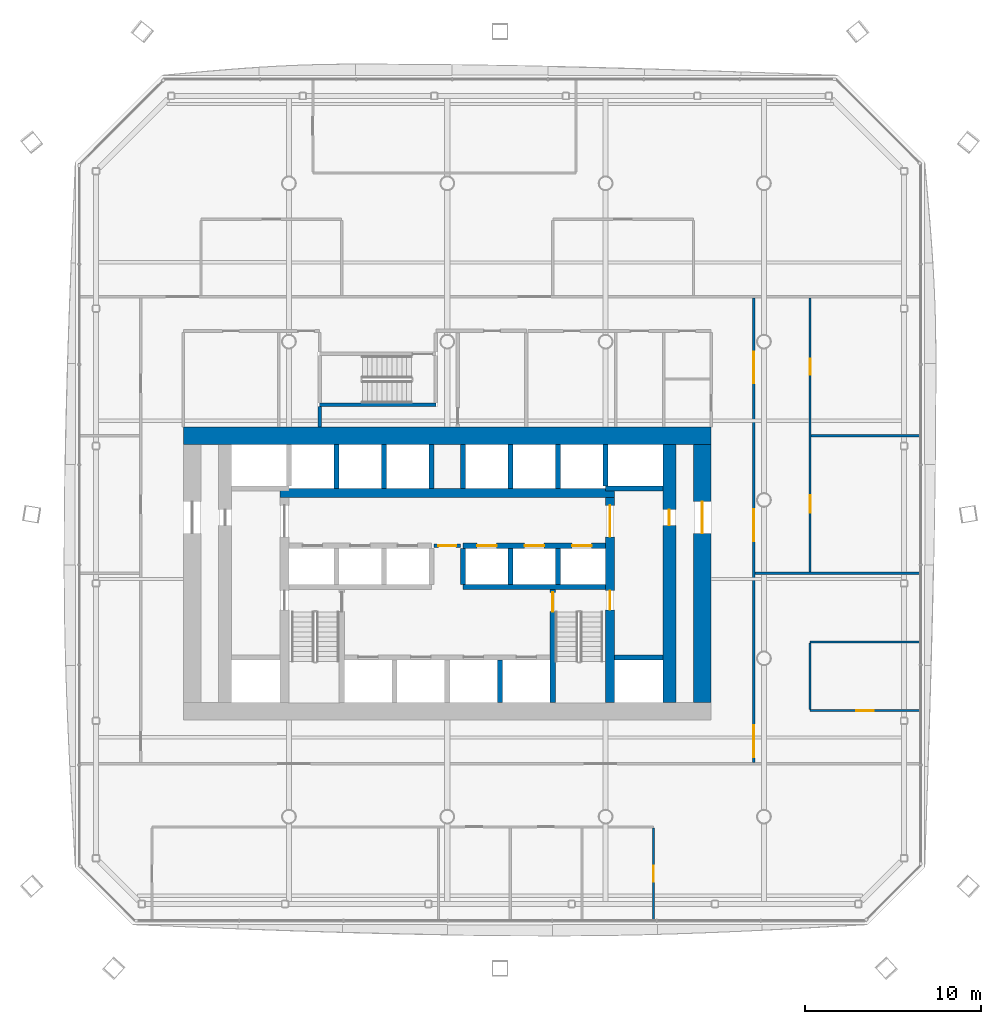
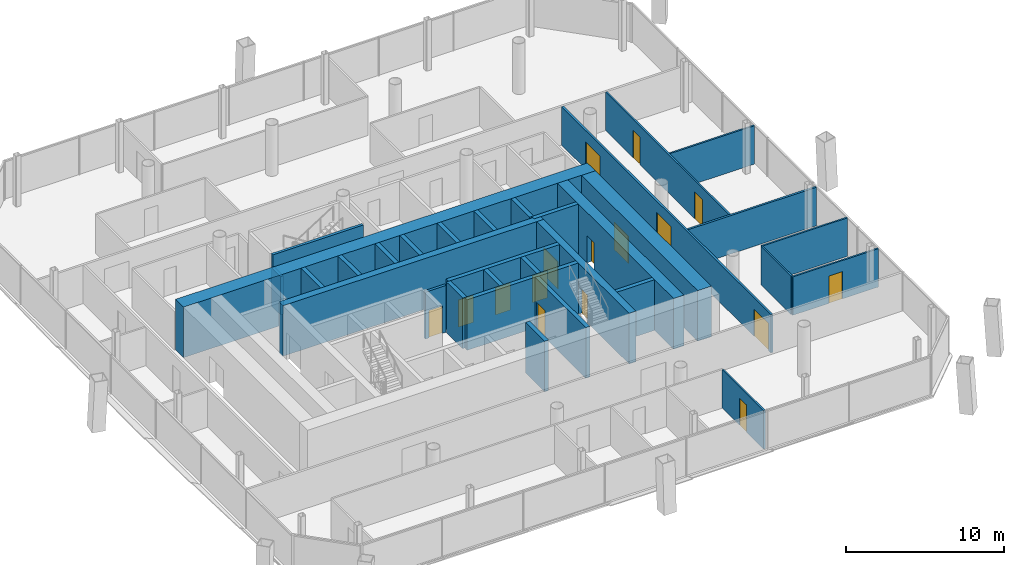
# One storey, part 12 of 19: 32 walls, 16 doors, 16 openings.
"""IFC4 building model written with IfcOpenShell, lengths in metres."""

from ifc_helpers import new_model, si_unit, direction, frame, frame_2d, origin, place, context, subcontext, project, spatial, rectangle, extrude, material, layer, layer_set, type_object, element, fill, save


model = new_model("IFC4")

# Units and contexts
model_context = context("Model", 3, precision=1e-05, world=origin(), true_north=direction((0.0, 1.0)))
body_context = subcontext(model_context, "Body", "Model", "MODEL_VIEW")
ifc_project = project(units=[si_unit("LENGTHUNIT", "METRE"), si_unit("AREAUNIT", "SQUARE_METRE"), si_unit("VOLUMEUNIT", "CUBIC_METRE"), si_unit("PLANEANGLEUNIT", "RADIAN"), si_unit("MASSUNIT", "GRAM", prefix="KILO")], contexts=[model_context])

# Site, building, storey
site_placement = place(None, origin())
site = spatial("IfcSite", under=ifc_project, at=site_placement, CompositionType="ELEMENT")
building_placement = place(site_placement, origin())
building = spatial("IfcBuilding", under=site, at=building_placement, Name="Tskaro Facet Tower", CompositionType="ELEMENT")
storey_placement = place(building_placement, frame((0.0, 0.0, 105.0)))
storey = spatial("IfcBuildingStorey", under=building, at=storey_placement, Name="L25", CompositionType="ELEMENT", Elevation=105.0)

# Walls
ifc_material_1 = material(Name="Concrete C60/75", Category="concrete")
ifc_layer_1 = layer(ifc_material_1, 0.300048828125, Name="Concrete C60/75")
ifc_layer_set_1 = layer_set([ifc_layer_1], Name="Concrete C60/75")
wall_type_1 = type_object("IfcWallType", Name="CORE-SHAFT", PredefinedType="SHEAR", material=ifc_layer_set_1)
wall_1_placement = place(storey_placement, frame((9.5, -8.949951171875, 0.0), z_axis=(0.0, 0.0, 1.0), x_axis=(1.0, 0.0, 0.0)))
element("IfcWall", 1, at=wall_1_placement, inside=storey, type_object=wall_type_1, Name="Shaft wall W006", PredefinedType="SHEAR", context=body_context, shape_type="SweptSolid", body=[
    extrude(rectangle(XDim=2.75, YDim=0.300048828125, at=frame_2d((1.375, 0.0))), origin(), (0.0, 0.0, 1.0), 3.89990234375),
])
wall_2_placement = place(storey_placement, frame((0.89990234375, -4.949951171875, 0.0), z_axis=(0.0, 0.0, 1.0), x_axis=(1.0, 0.0, 0.0)))
element("IfcWall", 2, at=wall_2_placement, inside=storey, type_object=wall_type_1, Name="Shaft wall W009", PredefinedType="SHEAR", context=body_context, shape_type="SweptSolid", body=[
    extrude(rectangle(XDim=8.10009765625, YDim=0.300048828125, at=frame_2d((4.050048828125, 0.0))), origin(), (0.0, 0.0, 1.0), 3.89990234375),
])

# Wall, openings, doors
wall_3_placement = place(storey_placement, frame((0.89990234375, -2.60009765625, 0.0), z_axis=(0.0, 0.0, 1.0), x_axis=(1.0, 0.0, 0.0)))
wall_3 = element("IfcWall", 3, at=wall_3_placement, inside=storey, type_object=wall_type_1, Name="Shaft wall W014", PredefinedType="SHEAR", context=body_context, shape_type="SweptSolid", body=[
    extrude(rectangle(XDim=8.10009765625, YDim=0.300048828125, at=frame_2d((4.050048828125, 0.0))), origin(), (0.0, 0.0, 1.0), 3.89990234375),
])
opening_1_placement = place(wall_3_placement, frame((0.800048828125, 0.0, 0.0)))
opening_1 = element("IfcOpeningElement", 4, at=opening_1_placement, cuts=wall_3, Name="Opening LD-LR4", PredefinedType="OPENING", context=body_context, shape_type="SweptSolid", body=[
    extrude(rectangle(XDim=1.10009765625, YDim=2.10009765625, at=frame_2d((0.550048828125, 1.050048828125))), frame((0.0, 0.159912109375, 0.0), z_axis=(0.0, -1.0, 0.0), x_axis=(1.0, 0.0, 0.0)), (0.0, 0.0, 1.0), 0.320068359375),
])
opening_2_placement = place(wall_3_placement, frame((3.5, 0.0, 0.0)))
opening_2 = element("IfcOpeningElement", 5, at=opening_2_placement, cuts=wall_3, Name="Opening LD-LR5", PredefinedType="OPENING", context=body_context, shape_type="SweptSolid", body=[
    extrude(rectangle(XDim=1.10009765625, YDim=2.10009765625, at=frame_2d((0.550048828125, 1.050048828125))), frame((0.0, 0.159912109375, 0.0), z_axis=(0.0, -1.0, 0.0), x_axis=(1.0, 0.0, 0.0)), (0.0, 0.0, 1.0), 0.320068359375),
])
opening_3_placement = place(wall_3_placement, frame((6.199951171875, 0.0, 0.0)))
opening_3 = element("IfcOpeningElement", 6, at=opening_3_placement, cuts=wall_3, Name="Opening LD-LR6", PredefinedType="OPENING", context=body_context, shape_type="SweptSolid", body=[
    extrude(rectangle(XDim=1.10009765625, YDim=2.10009765625, at=frame_2d((0.550048828125, 1.050048828125))), frame((0.0, 0.159912109375, 0.0), z_axis=(0.0, -1.0, 0.0), x_axis=(1.0, 0.0, 0.0)), (0.0, 0.0, 1.0), 0.320068359375),
])
ifc_material_2 = material(Name="Stainless steel", Category="steel")
door_type_1 = type_object("IfcDoorType", Name="D-LANDING", OperationType="NOTDEFINED", PredefinedType="DOOR", material=ifc_material_2)
door_1_placement = place(opening_1_placement, origin())
door_1 = element("IfcDoor", 7, at=door_1_placement, inside=storey, type_object=door_type_1, Name="Landing door LR4", OperationType="DOUBLE_DOOR_SLIDING", OverallHeight=2.10009765625, OverallWidth=1.10009765625, PredefinedType="DOOR", context=body_context, shape_type="SweptSolid", body=[
    extrude(rectangle(XDim=1.10009765625, YDim=2.10009765625, at=frame_2d((0.550048828125, 1.050048828125))), frame((0.0, 0.02490234375, 0.0), z_axis=(0.0, -1.0, 0.0), x_axis=(1.0, 0.0, 0.0)), (0.0, 0.0, 1.0), 0.050048828125),
])
fill(opening_1, door_1)
door_2_placement = place(opening_2_placement, origin())
door_2 = element("IfcDoor", 8, at=door_2_placement, inside=storey, type_object=door_type_1, Name="Landing door LR5", OperationType="DOUBLE_DOOR_SLIDING", OverallHeight=2.10009765625, OverallWidth=1.10009765625, PredefinedType="DOOR", context=body_context, shape_type="SweptSolid", body=[
    extrude(rectangle(XDim=1.10009765625, YDim=2.10009765625, at=frame_2d((0.550048828125, 1.050048828125))), frame((0.0, 0.02490234375, 0.0), z_axis=(0.0, -1.0, 0.0), x_axis=(1.0, 0.0, 0.0)), (0.0, 0.0, 1.0), 0.050048828125),
])
fill(opening_2, door_2)
door_3_placement = place(opening_3_placement, origin())
door_3 = element("IfcDoor", 9, at=door_3_placement, inside=storey, type_object=door_type_1, Name="Landing door LR6", OperationType="DOUBLE_DOOR_SLIDING", OverallHeight=2.10009765625, OverallWidth=1.10009765625, PredefinedType="DOOR", context=body_context, shape_type="SweptSolid", body=[
    extrude(rectangle(XDim=1.10009765625, YDim=2.10009765625, at=frame_2d((0.550048828125, 1.050048828125))), frame((0.0, 0.02490234375, 0.0), z_axis=(0.0, -1.0, 0.0), x_axis=(1.0, 0.0, 0.0)), (0.0, 0.0, 1.0), 0.050048828125),
])
fill(opening_3, door_3)

# Walls
wall_4_placement = place(storey_placement, frame((12.25, 0.64990234375, 0.0), z_axis=(0.0, 0.0, 1.0), x_axis=(-1.0, 0.0, 0.0)))
element("IfcWall", 10, at=wall_4_placement, inside=storey, type_object=wall_type_1, Name="Shaft wall W016", PredefinedType="SHEAR", context=body_context, shape_type="SweptSolid", body=[
    extrude(rectangle(XDim=3.25, YDim=0.300048828125, at=frame_2d((1.625, 0.0))), origin(), (0.0, 0.0, 1.0), 3.89990234375),
])
for number, where, z_axis, x_axis, name in (
    (11, (-6.300048828125, 0.64990234375, 0.0), (0.0, 0.0, 1.0), (0.0, 1.0, 0.0), "Shaft wall W040"),
    (12, (-3.60009765625, 0.64990234375, 0.0), (0.0, 0.0, 1.0), (0.0, 1.0, 0.0), "Shaft wall W044"),
    (13, (-0.89990234375, 0.64990234375, 0.0), (0.0, 0.0, 1.0), (0.0, 1.0, 0.0), "Shaft wall W047"),
):
    element("IfcWall", number, at=place(storey_placement, frame(where, z_axis=z_axis, x_axis=x_axis)), inside=storey, type_object=wall_type_1, Name=name, PredefinedType="SHEAR", context=body_context, shape_type="SweptSolid", body=[
        extrude(rectangle(XDim=2.5, YDim=0.300048828125, at=frame_2d((1.25, 0.0))), origin(), (0.0, 0.0, 1.0), 3.89990234375),
    ])
wall_5_placement = place(storey_placement, frame((0.89990234375, -4.800048828125, 0.0), z_axis=(0.0, 0.0, 1.0), x_axis=(0.0, 1.0, 0.0)))
element("IfcWall", 14, at=wall_5_placement, inside=storey, type_object=wall_type_1, Name="Shaft wall W053", PredefinedType="SHEAR", context=body_context, shape_type="SweptSolid", body=[
    extrude(rectangle(XDim=2.050048828125, YDim=0.300048828125, at=frame_2d((1.02490234375, 0.0))), origin(), (0.0, 0.0, 1.0), 3.89990234375),
])
wall_6_placement = place(storey_placement, frame((0.89990234375, 0.64990234375, 0.0), z_axis=(0.0, 0.0, 1.0), x_axis=(0.0, 1.0, 0.0)))
element("IfcWall", 15, at=wall_6_placement, inside=storey, type_object=wall_type_1, Name="Shaft wall W054", PredefinedType="SHEAR", context=body_context, shape_type="SweptSolid", body=[
    extrude(rectangle(XDim=2.5, YDim=0.300048828125, at=frame_2d((1.25, 0.0))), origin(), (0.0, 0.0, 1.0), 3.89990234375),
])
wall_7_placement = place(storey_placement, frame((3.0, -11.5, 0.0), z_axis=(0.0, 0.0, 1.0), x_axis=(0.0, 1.0, 0.0)))
element("IfcWall", 16, at=wall_7_placement, inside=storey, type_object=wall_type_1, Name="Shaft wall W055", PredefinedType="SHEAR", context=body_context, shape_type="SweptSolid", body=[
    extrude(rectangle(XDim=2.39990234375, YDim=0.300048828125, at=frame_2d((1.199951171875, 0.0))), origin(), (0.0, 0.0, 1.0), 3.89990234375),
])
wall_8_placement = place(storey_placement, frame((3.60009765625, -4.800048828125, 0.0), z_axis=(0.0, 0.0, 1.0), x_axis=(0.0, 1.0, 0.0)))
element("IfcWall", 17, at=wall_8_placement, inside=storey, type_object=wall_type_1, Name="Shaft wall W057", PredefinedType="SHEAR", context=body_context, shape_type="SweptSolid", body=[
    extrude(rectangle(XDim=2.050048828125, YDim=0.300048828125, at=frame_2d((1.02490234375, 0.0))), origin(), (0.0, 0.0, 1.0), 3.89990234375),
])
wall_9_placement = place(storey_placement, frame((3.60009765625, 0.64990234375, 0.0), z_axis=(0.0, 0.0, 1.0), x_axis=(0.0, 1.0, 0.0)))
element("IfcWall", 18, at=wall_9_placement, inside=storey, type_object=wall_type_1, Name="Shaft wall W058", PredefinedType="SHEAR", context=body_context, shape_type="SweptSolid", body=[
    extrude(rectangle(XDim=2.5, YDim=0.300048828125, at=frame_2d((1.25, 0.0))), origin(), (0.0, 0.0, 1.0), 3.89990234375),
])

# Wall, opening, door
wall_10_placement = place(storey_placement, frame((6.0, -5.10009765625, 0.0), z_axis=(0.0, 0.0, 1.0), x_axis=(0.0, -1.0, 0.0)))
wall_10 = element("IfcWall", 19, at=wall_10_placement, inside=storey, type_object=wall_type_1, Name="Shaft wall W060", PredefinedType="SHEAR", context=body_context, shape_type="SweptSolid", body=[
    extrude(rectangle(XDim=6.39990234375, YDim=0.300048828125, at=frame_2d((3.199951171875, 0.0))), origin(), (0.0, 0.0, 1.0), 3.89990234375),
])
opening_4_placement = place(wall_10_placement, frame((0.14990234375, 0.0, 0.0)))
opening_4 = element("IfcOpeningElement", 20, at=opening_4_placement, cuts=wall_10, Name="Opening ST-2-D1", PredefinedType="OPENING", context=body_context, shape_type="SweptSolid", body=[
    extrude(rectangle(XDim=1.10009765625, YDim=2.10009765625, at=frame_2d((0.550048828125, 1.050048828125))), frame((0.0, 0.159912109375, 0.0), z_axis=(0.0, -1.0, 0.0), x_axis=(1.0, 0.0, 0.0)), (0.0, 0.0, 1.0), 0.320068359375),
])
ifc_material_3 = material(Name="Steel", Category="steel")
door_type_2 = type_object("IfcDoorType", Name="D-STAIR", OperationType="NOTDEFINED", PredefinedType="DOOR", material=ifc_material_3)
door_4_placement = place(opening_4_placement, origin())
door_4 = element("IfcDoor", 21, at=door_4_placement, inside=storey, type_object=door_type_2, Name="Stair door 2", OperationType="SINGLE_SWING_RIGHT", OverallHeight=2.10009765625, OverallWidth=1.10009765625, PredefinedType="DOOR", context=body_context, shape_type="SweptSolid", body=[
    extrude(rectangle(XDim=1.10009765625, YDim=2.10009765625, at=frame_2d((0.550048828125, 1.050048828125))), frame((0.0, 0.02490234375, 0.0), z_axis=(0.0, -1.0, 0.0), x_axis=(1.0, 0.0, 0.0)), (0.0, 0.0, 1.0), 0.050048828125),
])
fill(opening_4, door_4)

# Walls
wall_11_placement = place(storey_placement, frame((6.300048828125, -4.800048828125, 0.0), z_axis=(0.0, 0.0, 1.0), x_axis=(0.0, 1.0, 0.0)))
element("IfcWall", 22, at=wall_11_placement, inside=storey, type_object=wall_type_1, Name="Shaft wall W062", PredefinedType="SHEAR", context=body_context, shape_type="SweptSolid", body=[
    extrude(rectangle(XDim=2.050048828125, YDim=0.300048828125, at=frame_2d((1.02490234375, 0.0))), origin(), (0.0, 0.0, 1.0), 3.89990234375),
])
wall_12_placement = place(storey_placement, frame((6.300048828125, 0.64990234375, 0.0), z_axis=(0.0, 0.0, 1.0), x_axis=(0.0, 1.0, 0.0)))
element("IfcWall", 23, at=wall_12_placement, inside=storey, type_object=wall_type_1, Name="Shaft wall W063", PredefinedType="SHEAR", context=body_context, shape_type="SweptSolid", body=[
    extrude(rectangle(XDim=2.5, YDim=0.300048828125, at=frame_2d((1.25, 0.0))), origin(), (0.0, 0.0, 1.0), 3.89990234375),
])
wall_13_placement = place(storey_placement, frame((9.0, 0.800048828125, 0.0), z_axis=(0.0, 0.0, 1.0), x_axis=(0.0, 1.0, 0.0)))
element("IfcWall", 24, at=wall_13_placement, inside=storey, type_object=wall_type_1, Name="Shaft wall W066", PredefinedType="SHEAR", context=body_context, shape_type="SweptSolid", body=[
    extrude(rectangle(XDim=2.349853515625, YDim=0.300048828125, at=frame_2d((1.1748046875, 0.0))), origin(), (0.0, 0.0, 1.0), 3.89990234375),
])

# Wall, opening, door
ifc_material_4 = material(Name="Concrete C20/25", Category="concrete")
ifc_layer_2 = layer(ifc_material_4, 0.199951171875, Name="Concrete C20/25")
ifc_layer_set_2 = layer_set([ifc_layer_2], Name="Concrete C20/25")
wall_type_2 = type_object("IfcWallType", Name="CORE-WALL", PredefinedType="SOLIDWALL", material=ifc_layer_set_2)
wall_14_placement = place(storey_placement, frame((0.75, -2.60009765625, 0.0), z_axis=(0.0, 0.0, 1.0), x_axis=(-1.0, 0.0, 0.0)))
wall_14 = element("IfcWall", 25, at=wall_14_placement, inside=storey, type_object=wall_type_2, Name="Core room wall W013", PredefinedType="SOLIDWALL", context=body_context, shape_type="SweptSolid", body=[
    extrude(rectangle(XDim=1.5, YDim=0.199951171875, at=frame_2d((0.75, 0.0))), origin(), (0.0, 0.0, 1.0), 3.60009765625),
])
opening_5_placement = place(wall_14_placement, frame((0.25, 0.0, 0.0)))
opening_5 = element("IfcOpeningElement", 26, at=opening_5_placement, cuts=wall_14, Name="Opening FL-D1", PredefinedType="OPENING", context=body_context, shape_type="SweptSolid", body=[
    extrude(rectangle(XDim=1.0, YDim=2.10009765625, at=frame_2d((0.5, 1.050048828125))), frame((0.0, 0.10986328125, 0.0), z_axis=(0.0, -1.0, 0.0), x_axis=(1.0, 0.0, 0.0)), (0.0, 0.0, 1.0), 0.219970703125),
])
door_type_3 = type_object("IfcDoorType", Name="D-LOBBY", OperationType="NOTDEFINED", PredefinedType="DOOR", material=ifc_material_3)
door_5_placement = place(opening_5_placement, origin())
door_5 = element("IfcDoor", 27, at=door_5_placement, inside=storey, type_object=door_type_3, Name="Lobby door FL", OperationType="SINGLE_SWING_RIGHT", OverallHeight=2.10009765625, OverallWidth=1.0, PredefinedType="DOOR", context=body_context, shape_type="SweptSolid", body=[
    extrude(rectangle(XDim=1.0, YDim=2.10009765625, at=frame_2d((0.5, 1.050048828125))), frame((0.0, 0.02490234375, 0.0), z_axis=(0.0, -1.0, 0.0), x_axis=(1.0, 0.0, 0.0)), (0.0, 0.0, 1.0), 0.050048828125),
])
fill(opening_5, door_5)

# Wall
ifc_layer_3 = layer(ifc_material_1, 1.0, Name="Concrete C60/75")
ifc_layer_set_3 = layer_set([ifc_layer_3], Name="Concrete C60/75")
wall_type_3 = type_object("IfcWallType", Name="Core wall 1000", PredefinedType="SHEAR", material=ifc_layer_set_3)
wall_15_placement = place(storey_placement, frame((-15.0, 3.64990234375, 0.0), z_axis=(0.0, 0.0, 1.0), x_axis=(1.0, 0.0, 0.0)))
element("IfcWall", 28, at=wall_15_placement, inside=storey, type_object=wall_type_3, Name="Core wall CW-Z1N", PredefinedType="SHEAR", context=body_context, shape_type="SweptSolid", body=[
    extrude(rectangle(XDim=30.0, YDim=1.0, at=frame_2d((15.0, 0.0))), origin(), (0.0, 0.0, 1.0), 3.89990234375),
])

# Wall, opening, door
wall_16_placement = place(storey_placement, frame((14.5, -11.5, 0.0), z_axis=(0.0, 0.0, 1.0), x_axis=(0.0, 1.0, 0.0)))
wall_16 = element("IfcWall", 29, at=wall_16_placement, inside=storey, type_object=wall_type_3, Name="Core wall CW-Z1E", PredefinedType="SHEAR", context=body_context, shape_type="SweptSolid", body=[
    extrude(rectangle(XDim=14.64990234375, YDim=1.0, at=frame_2d((7.324951171875, 0.0))), origin(), (0.0, 0.0, 1.0), 3.89990234375),
])
opening_6_placement = place(wall_16_placement, frame((9.60009765625, 0.0, 0.0)))
opening_6 = element("IfcOpeningElement", 30, at=opening_6_placement, cuts=wall_16, Name="Opening T7p-D18", PredefinedType="OPENING", context=body_context, shape_type="SweptSolid", body=[
    extrude(rectangle(XDim=1.800048828125, YDim=2.10009765625, at=frame_2d((0.89990234375, 1.050048828125))), frame((0.0, 0.510009765625, 0.0), z_axis=(0.0, -1.0, 0.0), x_axis=(1.0, 0.0, 0.0)), (0.0, 0.0, 1.0), 1.02001953125),
])
door_type_4 = type_object("IfcDoorType", Name="D-CORE-PAIR", OperationType="NOTDEFINED", PredefinedType="DOOR", material=ifc_material_3)
door_6_placement = place(opening_6_placement, origin())
door_6 = element("IfcDoor", 31, at=door_6_placement, inside=storey, type_object=door_type_4, Name="Door T7p-D18", OperationType="DOUBLE_DOOR_SINGLE_SWING", OverallHeight=2.10009765625, OverallWidth=1.800048828125, PredefinedType="DOOR", context=body_context, shape_type="SweptSolid", body=[
    extrude(rectangle(XDim=1.800048828125, YDim=2.10009765625, at=frame_2d((0.89990234375, 1.050048828125))), frame((0.0, 0.02490234375, 0.0), z_axis=(0.0, -1.0, 0.0), x_axis=(1.0, 0.0, 0.0)), (0.0, 0.0, 1.0), 0.050048828125),
])
fill(opening_6, door_6)

# Wall
ifc_material_5 = material(Name="Concrete C40/50", Category="concrete")
ifc_layer_4 = layer(ifc_material_5, 0.5, Name="Concrete C40/50")
ifc_layer_set_4 = layer_set([ifc_layer_4], Name="Concrete C40/50")
wall_type_4 = type_object("IfcWallType", Name="Core wall 500", PredefinedType="SHEAR", material=ifc_layer_set_4)
wall_17_placement = place(storey_placement, frame((-9.5, 0.39990234375, 0.0), z_axis=(0.0, 0.0, 1.0), x_axis=(1.0, 0.0, 0.0)))
element("IfcWall", 32, at=wall_17_placement, inside=storey, type_object=wall_type_4, Name="Core wall CW-Z3N", PredefinedType="SHEAR", context=body_context, shape_type="SweptSolid", body=[
    extrude(rectangle(XDim=19.0, YDim=0.5, at=frame_2d((9.5, 0.0))), origin(), (0.0, 0.0, 1.0), 3.89990234375),
])

# Wall, openings, doors
wall_18_placement = place(storey_placement, frame((9.25, -11.5, 0.0), z_axis=(0.0, 0.0, 1.0), x_axis=(0.0, 1.0, 0.0)))
wall_18 = element("IfcWall", 33, at=wall_18_placement, inside=storey, type_object=wall_type_4, Name="Core wall CW-Z3E", PredefinedType="SHEAR", context=body_context, shape_type="SweptSolid", body=[
    extrude(rectangle(XDim=11.64990234375, YDim=0.5, at=frame_2d((5.824951171875, 0.0))), origin(), (0.0, 0.0, 1.0), 3.89990234375),
])
opening_7_placement = place(wall_18_placement, frame((9.39990234375, 0.0, 0.0)))
opening_7 = element("IfcOpeningElement", 34, at=opening_7_placement, cuts=wall_18, Name="Opening T7p-D14", PredefinedType="OPENING", context=body_context, shape_type="SweptSolid", body=[
    extrude(rectangle(XDim=1.800048828125, YDim=2.10009765625, at=frame_2d((0.89990234375, 1.050048828125))), frame((0.0, 0.260009765625, 0.0), z_axis=(0.0, -1.0, 0.0), x_axis=(1.0, 0.0, 0.0)), (0.0, 0.0, 1.0), 0.52001953125),
])
opening_8_placement = place(wall_18_placement, frame((5.25, 0.0, 0.0)))
opening_8 = element("IfcOpeningElement", 35, at=opening_8_placement, cuts=wall_18, Name="Opening ST-2-D2", PredefinedType="OPENING", context=body_context, shape_type="SweptSolid", body=[
    extrude(rectangle(XDim=1.10009765625, YDim=2.10009765625, at=frame_2d((0.550048828125, 1.050048828125))), frame((0.0, 0.260009765625, 0.0), z_axis=(0.0, -1.0, 0.0), x_axis=(1.0, 0.0, 0.0)), (0.0, 0.0, 1.0), 0.52001953125),
])
door_7_placement = place(opening_7_placement, origin())
door_7 = element("IfcDoor", 36, at=door_7_placement, inside=storey, type_object=door_type_4, Name="Door T7p-D14", OperationType="DOUBLE_DOOR_SINGLE_SWING", OverallHeight=2.10009765625, OverallWidth=1.800048828125, PredefinedType="DOOR", context=body_context, shape_type="SweptSolid", body=[
    extrude(rectangle(XDim=1.800048828125, YDim=2.10009765625, at=frame_2d((0.89990234375, 1.050048828125))), frame((0.0, 0.02490234375, 0.0), z_axis=(0.0, -1.0, 0.0), x_axis=(1.0, 0.0, 0.0)), (0.0, 0.0, 1.0), 0.050048828125),
])
fill(opening_7, door_7)
door_8_placement = place(opening_8_placement, origin())
door_8 = element("IfcDoor", 37, at=door_8_placement, inside=storey, type_object=door_type_2, Name="Stair door 2 east", OperationType="SINGLE_SWING_LEFT", OverallHeight=2.10009765625, OverallWidth=1.10009765625, PredefinedType="DOOR", context=body_context, shape_type="SweptSolid", body=[
    extrude(rectangle(XDim=1.10009765625, YDim=2.10009765625, at=frame_2d((0.550048828125, 1.050048828125))), frame((0.0, 0.02490234375, 0.0), z_axis=(0.0, -1.0, 0.0), x_axis=(1.0, 0.0, 0.0)), (0.0, 0.0, 1.0), 0.050048828125),
])
fill(opening_8, door_8)

# Wall, opening, door
ifc_material_6 = material(Name="Concrete C50/60", Category="concrete")
ifc_layer_5 = layer(ifc_material_6, 0.75, Name="Concrete C50/60")
ifc_layer_set_5 = layer_set([ifc_layer_5], Name="Concrete C50/60")
wall_type_5 = type_object("IfcWallType", Name="Core wall 750", PredefinedType="SHEAR", material=ifc_layer_set_5)
wall_19_placement = place(storey_placement, frame((12.625, -11.5, 0.0), z_axis=(0.0, 0.0, 1.0), x_axis=(0.0, 1.0, 0.0)))
wall_19 = element("IfcWall", 38, at=wall_19_placement, inside=storey, type_object=wall_type_5, Name="Core wall CW-Z2E", PredefinedType="SHEAR", context=body_context, shape_type="SweptSolid", body=[
    extrude(rectangle(XDim=14.64990234375, YDim=0.75, at=frame_2d((7.324951171875, 0.0))), origin(), (0.0, 0.0, 1.0), 3.89990234375),
])
opening_9_placement = place(wall_19_placement, frame((10.050048828125, 0.0, 0.0)))
opening_9 = element("IfcOpeningElement", 39, at=opening_9_placement, cuts=wall_19, Name="Opening T7p-D17", PredefinedType="OPENING", context=body_context, shape_type="SweptSolid", body=[
    extrude(rectangle(XDim=0.89990234375, YDim=2.10009765625, at=frame_2d((0.449951171875, 1.050048828125))), frame((0.0, 0.385009765625, 0.0), z_axis=(0.0, -1.0, 0.0), x_axis=(1.0, 0.0, 0.0)), (0.0, 0.0, 1.0), 0.77001953125),
])
ifc_material_7 = material(Name="Timber", Category="wood")
door_type_5 = type_object("IfcDoorType", Name="D-ROOM", OperationType="NOTDEFINED", PredefinedType="DOOR", material=ifc_material_7)
door_9_placement = place(opening_9_placement, origin())
door_9 = element("IfcDoor", 40, at=door_9_placement, inside=storey, type_object=door_type_5, Name="Door T7p-D17", OperationType="SINGLE_SWING_LEFT", OverallHeight=2.10009765625, OverallWidth=0.89990234375, PredefinedType="DOOR", context=body_context, shape_type="SweptSolid", body=[
    extrude(rectangle(XDim=0.89990234375, YDim=2.10009765625, at=frame_2d((0.449951171875, 1.050048828125))), frame((0.0, 0.02490234375, 0.0), z_axis=(0.0, -1.0, 0.0), x_axis=(1.0, 0.0, 0.0)), (0.0, 0.0, 1.0), 0.050048828125),
])
fill(opening_9, door_9)

ifc_material_8 = material(Name="Gypsum board on steel studs", Category="steel")
ifc_layer_6 = layer(ifc_material_8, 0.125, Name="Gypsum board on steel studs")
ifc_layer_set_6 = layer_set([ifc_layer_6], Name="Gypsum board on steel studs")
wall_type_6 = type_object("IfcWallType", Name="PART", PredefinedType="PARTITIONING", material=ifc_layer_set_6)
wall_20_placement = place(storey_placement, frame((20.625, -11.972900390625, 0.0), z_axis=(0.0, 0.0, 1.0), x_axis=(1.0, 0.0, 0.0)))
wall_20 = element("IfcWall", 41, at=wall_20_placement, inside=storey, type_object=wall_type_6, Name="Partition W003", PredefinedType="PARTITIONING", context=body_context, shape_type="SweptSolid", body=[
    extrude(rectangle(XDim=6.239990234375, YDim=0.125, at=frame_2d((3.1201171875, 0.0))), origin(), (0.0, 0.0, 1.0), 2.9599609375),
])
opening_10_placement = place(wall_20_placement, frame((2.6201171875, 0.0, 0.0)))
opening_10 = element("IfcOpeningElement", 42, at=opening_10_placement, cuts=wall_20, Name="Opening T7p-D09", PredefinedType="OPENING", context=body_context, shape_type="SweptSolid", body=[
    extrude(rectangle(XDim=1.0, YDim=2.10009765625, at=frame_2d((0.5, 1.050048828125))), frame((0.0, 0.072509765625, 0.0), z_axis=(0.0, -1.0, 0.0), x_axis=(1.0, 0.0, 0.0)), (0.0, 0.0, 1.0), 0.14501953125),
])
door_type_6 = type_object("IfcDoorType", Name="D-ROOM-WIDE", OperationType="NOTDEFINED", PredefinedType="DOOR", material=ifc_material_7)
door_10_placement = place(opening_10_placement, origin())
door_10 = element("IfcDoor", 43, at=door_10_placement, inside=storey, type_object=door_type_6, Name="Door T7p-D09", OperationType="SINGLE_SWING_LEFT", OverallHeight=2.10009765625, OverallWidth=1.0, PredefinedType="DOOR", context=body_context, shape_type="SweptSolid", body=[
    extrude(rectangle(XDim=1.0, YDim=2.10009765625, at=frame_2d((0.5, 1.050048828125))), frame((0.0, 0.02490234375, 0.0), z_axis=(0.0, -1.0, 0.0), x_axis=(1.0, 0.0, 0.0)), (0.0, 0.0, 1.0), 0.050048828125),
])
fill(opening_10, door_10)

# Walls
wall_21_placement = place(storey_placement, frame((20.625, -8.068115234375, 0.0), z_axis=(0.0, 0.0, 1.0), x_axis=(1.0, 0.0, 0.0)))
element("IfcWall", 44, at=wall_21_placement, inside=storey, type_object=wall_type_6, Name="Partition W007", PredefinedType="PARTITIONING", context=body_context, shape_type="SweptSolid", body=[
    extrude(rectangle(XDim=6.239990234375, YDim=0.125, at=frame_2d((3.1201171875, 0.0))), origin(), (0.0, 0.0, 1.0), 2.9599609375),
])
wall_22_placement = place(storey_placement, frame((20.6875, 3.64794921875, 0.0), z_axis=(0.0, 0.0, 1.0), x_axis=(1.0, 0.0, 0.0)))
element("IfcWall", 45, at=wall_22_placement, inside=storey, type_object=wall_type_6, Name="Partition W018", PredefinedType="PARTITIONING", context=body_context, shape_type="SweptSolid", body=[
    extrude(rectangle(XDim=6.177490234375, YDim=0.125, at=frame_2d((3.0888671875, 0.0))), origin(), (0.0, 0.0, 1.0), 2.9599609375),
])

# Wall, opening, door
wall_23_placement = place(storey_placement, frame((11.72607421875, -23.864990234375, 0.0), z_axis=(0.0, 0.0, 1.0), x_axis=(0.0, 1.0, 0.0)))
wall_23 = element("IfcWall", 46, at=wall_23_placement, inside=storey, type_object=wall_type_6, Name="Partition W068", PredefinedType="PARTITIONING", context=body_context, shape_type="SweptSolid", body=[
    extrude(rectangle(XDim=5.222412109375, YDim=0.125, at=frame_2d((2.611328125, 0.0))), origin(), (0.0, 0.0, 1.0), 2.9599609375),
])
opening_11_placement = place(wall_23_placement, frame((2.1611328125, 0.0, 0.0)))
opening_11 = element("IfcOpeningElement", 47, at=opening_11_placement, cuts=wall_23, Name="Opening T7p-D02", PredefinedType="OPENING", context=body_context, shape_type="SweptSolid", body=[
    extrude(rectangle(XDim=0.89990234375, YDim=2.10009765625, at=frame_2d((0.449951171875, 1.050048828125))), frame((0.0, 0.072509765625, 0.0), z_axis=(0.0, -1.0, 0.0), x_axis=(1.0, 0.0, 0.0)), (0.0, 0.0, 1.0), 0.14501953125),
])
door_11_placement = place(opening_11_placement, origin())
door_11 = element("IfcDoor", 48, at=door_11_placement, inside=storey, type_object=door_type_5, Name="Door T7p-D02", OperationType="SINGLE_SWING_LEFT", OverallHeight=2.10009765625, OverallWidth=0.89990234375, PredefinedType="DOOR", context=body_context, shape_type="SweptSolid", body=[
    extrude(rectangle(XDim=0.89990234375, YDim=2.10009765625, at=frame_2d((0.449951171875, 1.050048828125))), frame((0.0, 0.02490234375, 0.0), z_axis=(0.0, -1.0, 0.0), x_axis=(1.0, 0.0, 0.0)), (0.0, 0.0, 1.0), 0.050048828125),
])
fill(opening_11, door_11)

# Wall
wall_24_placement = place(storey_placement, frame((20.625, -11.910400390625, 0.0), z_axis=(0.0, 0.0, 1.0), x_axis=(0.0, 1.0, 0.0)))
element("IfcWall", 49, at=wall_24_placement, inside=storey, type_object=wall_type_6, Name="Partition W073", PredefinedType="PARTITIONING", context=body_context, shape_type="SweptSolid", body=[
    extrude(rectangle(XDim=3.77978515625, YDim=0.125, at=frame_2d((1.889892578125, 0.0))), origin(), (0.0, 0.0, 1.0), 2.9599609375),
])

# Wall, openings, doors
wall_25_placement = place(storey_placement, frame((20.625, 11.47998046875, 0.0), z_axis=(0.0, 0.0, 1.0), x_axis=(0.0, -1.0, 0.0)))
wall_25 = element("IfcWall", 50, at=wall_25_placement, inside=storey, type_object=wall_type_6, Name="Partition W074", PredefinedType="PARTITIONING", context=body_context, shape_type="SweptSolid", body=[
    extrude(rectangle(XDim=15.56689453125, YDim=0.125, at=frame_2d((7.783447265625, 0.0))), origin(), (0.0, 0.0, 1.0), 2.9599609375),
])
opening_12_placement = place(wall_25_placement, frame((11.199462890625, 0.0, 0.0)))
opening_12 = element("IfcOpeningElement", 51, at=opening_12_placement, cuts=wall_25, Name="Opening T7p-D20", PredefinedType="OPENING", context=body_context, shape_type="SweptSolid", body=[
    extrude(rectangle(XDim=1.0, YDim=2.10009765625, at=frame_2d((0.5, 1.050048828125))), frame((0.0, 0.072509765625, 0.0), z_axis=(0.0, -1.0, 0.0), x_axis=(1.0, 0.0, 0.0)), (0.0, 0.0, 1.0), 0.14501953125),
])
opening_13_placement = place(wall_25_placement, frame((3.466064453125, 0.0, 0.0)))
opening_13 = element("IfcOpeningElement", 52, at=opening_13_placement, cuts=wall_25, Name="Opening T7p-D27", PredefinedType="OPENING", context=body_context, shape_type="SweptSolid", body=[
    extrude(rectangle(XDim=0.89990234375, YDim=2.10009765625, at=frame_2d((0.449951171875, 1.050048828125))), frame((0.0, 0.072509765625, 0.0), z_axis=(0.0, -1.0, 0.0), x_axis=(1.0, 0.0, 0.0)), (0.0, 0.0, 1.0), 0.14501953125),
])
door_12_placement = place(opening_13_placement, origin())
door_12 = element("IfcDoor", 53, at=door_12_placement, inside=storey, type_object=door_type_5, Name="Door T7p-D27", OperationType="SINGLE_SWING_RIGHT", OverallHeight=2.10009765625, OverallWidth=0.89990234375, PredefinedType="DOOR", context=body_context, shape_type="SweptSolid", body=[
    extrude(rectangle(XDim=0.89990234375, YDim=2.10009765625, at=frame_2d((0.449951171875, 1.050048828125))), frame((0.0, 0.02490234375, 0.0), z_axis=(0.0, -1.0, 0.0), x_axis=(1.0, 0.0, 0.0)), (0.0, 0.0, 1.0), 0.050048828125),
])
fill(opening_13, door_12)
door_13_placement = place(opening_12_placement, origin())
door_13 = element("IfcDoor", 54, at=door_13_placement, inside=storey, type_object=door_type_6, Name="Door T7p-D20", OperationType="SINGLE_SWING_RIGHT", OverallHeight=2.10009765625, OverallWidth=1.0, PredefinedType="DOOR", context=body_context, shape_type="SweptSolid", body=[
    extrude(rectangle(XDim=1.0, YDim=2.10009765625, at=frame_2d((0.5, 1.050048828125))), frame((0.0, 0.02490234375, 0.0), z_axis=(0.0, -1.0, 0.0), x_axis=(1.0, 0.0, 0.0)), (0.0, 0.0, 1.0), 0.050048828125),
])
fill(opening_12, door_13)

# Wall
ifc_layer_7 = layer(ifc_material_8, 0.14990234375, Name="Gypsum board on steel studs")
ifc_layer_set_7 = layer_set([ifc_layer_7], Name="Gypsum board on steel studs")
wall_type_7 = type_object("IfcWallType", Name="PART-CORR", PredefinedType="PARTITIONING", material=ifc_layer_set_7)
wall_26_placement = place(storey_placement, frame((17.5, -4.162109375, 0.0), z_axis=(0.0, 0.0, 1.0), x_axis=(1.0, 0.0, 0.0)))
element("IfcWall", 55, at=wall_26_placement, inside=storey, type_object=wall_type_7, Name="Corridor wall W011", PredefinedType="PARTITIONING", context=body_context, shape_type="SweptSolid", body=[
    extrude(rectangle(XDim=9.364990234375, YDim=0.14990234375, at=frame_2d((4.6826171875, 0.0))), origin(), (0.0, 0.0, 1.0), 2.9599609375),
])

# Wall, openings, doors
wall_27_placement = place(storey_placement, frame((17.425048828125, -14.925048828125, 0.0), z_axis=(0.0, 0.0, 1.0), x_axis=(0.0, 1.0, 0.0)))
wall_27 = element("IfcWall", 56, at=wall_27_placement, inside=storey, type_object=wall_type_7, Name="Corridor wall W072", PredefinedType="PARTITIONING", context=body_context, shape_type="SweptSolid", body=[
    extrude(rectangle(XDim=26.405029296875, YDim=0.14990234375, at=frame_2d((13.20263671875, 0.0))), origin(), (0.0, 0.0, 1.0), 2.9599609375),
])
opening_14_placement = place(wall_27_placement, frame((0.3125, 0.0, 0.0)))
opening_14 = element("IfcOpeningElement", 57, at=opening_14_placement, cuts=wall_27, Name="Opening T7p-D08", PredefinedType="OPENING", context=body_context, shape_type="SweptSolid", body=[
    extrude(rectangle(XDim=1.800048828125, YDim=2.10009765625, at=frame_2d((0.89990234375, 1.050048828125))), frame((0.0, 0.0849609375, 0.0), z_axis=(0.0, -1.0, 0.0), x_axis=(1.0, 0.0, 0.0)), (0.0, 0.0, 1.0), 0.169921875),
])
opening_15_placement = place(wall_27_placement, frame((12.592041015625, 0.0, 0.0)))
opening_15 = element("IfcOpeningElement", 58, at=opening_15_placement, cuts=wall_27, Name="Opening T7p-D12", PredefinedType="OPENING", context=body_context, shape_type="SweptSolid", body=[
    extrude(rectangle(XDim=1.800048828125, YDim=2.10009765625, at=frame_2d((0.89990234375, 1.050048828125))), frame((0.0, 0.0849609375, 0.0), z_axis=(0.0, -1.0, 0.0), x_axis=(1.0, 0.0, 0.0)), (0.0, 0.0, 1.0), 0.169921875),
])
opening_16_placement = place(wall_27_placement, frame((21.551025390625, 0.0, 0.0)))
opening_16 = element("IfcOpeningElement", 59, at=opening_16_placement, cuts=wall_27, Name="Opening T7p-D26", PredefinedType="OPENING", context=body_context, shape_type="SweptSolid", body=[
    extrude(rectangle(XDim=1.800048828125, YDim=2.10009765625, at=frame_2d((0.89990234375, 1.050048828125))), frame((0.0, 0.0849609375, 0.0), z_axis=(0.0, -1.0, 0.0), x_axis=(1.0, 0.0, 0.0)), (0.0, 0.0, 1.0), 0.169921875),
])
ifc_material_9 = material(Name="Glass", Category="glass")
door_type_7 = type_object("IfcDoorType", Name="D-ENTRY-PAIR", OperationType="NOTDEFINED", PredefinedType="DOOR", material=ifc_material_9)
door_14_placement = place(opening_14_placement, origin())
door_14 = element("IfcDoor", 60, at=door_14_placement, inside=storey, type_object=door_type_7, Name="Door T7p-D08", OperationType="DOUBLE_DOOR_SINGLE_SWING", OverallHeight=2.10009765625, OverallWidth=1.800048828125, PredefinedType="DOOR", context=body_context, shape_type="SweptSolid", body=[
    extrude(rectangle(XDim=1.800048828125, YDim=2.10009765625, at=frame_2d((0.89990234375, 1.050048828125))), frame((0.0, 0.02490234375, 0.0), z_axis=(0.0, -1.0, 0.0), x_axis=(1.0, 0.0, 0.0)), (0.0, 0.0, 1.0), 0.050048828125),
])
fill(opening_14, door_14)
door_15_placement = place(opening_15_placement, origin())
door_15 = element("IfcDoor", 61, at=door_15_placement, inside=storey, type_object=door_type_7, Name="Door T7p-D12", OperationType="DOUBLE_DOOR_SINGLE_SWING", OverallHeight=2.10009765625, OverallWidth=1.800048828125, PredefinedType="DOOR", context=body_context, shape_type="SweptSolid", body=[
    extrude(rectangle(XDim=1.800048828125, YDim=2.10009765625, at=frame_2d((0.89990234375, 1.050048828125))), frame((0.0, 0.02490234375, 0.0), z_axis=(0.0, -1.0, 0.0), x_axis=(1.0, 0.0, 0.0)), (0.0, 0.0, 1.0), 0.050048828125),
])
fill(opening_15, door_15)
door_16_placement = place(opening_16_placement, origin())
door_16 = element("IfcDoor", 62, at=door_16_placement, inside=storey, type_object=door_type_7, Name="Door T7p-D26", OperationType="DOUBLE_DOOR_SINGLE_SWING", OverallHeight=2.10009765625, OverallWidth=1.800048828125, PredefinedType="DOOR", context=body_context, shape_type="SweptSolid", body=[
    extrude(rectangle(XDim=1.800048828125, YDim=2.10009765625, at=frame_2d((0.89990234375, 1.050048828125))), frame((0.0, 0.02490234375, 0.0), z_axis=(0.0, -1.0, 0.0), x_axis=(1.0, 0.0, 0.0)), (0.0, 0.0, 1.0), 0.050048828125),
])
fill(opening_16, door_16)

# Walls
ifc_layer_8 = layer(ifc_material_1, 0.199951171875, Name="Concrete C60/75")
ifc_layer_set_8 = layer_set([ifc_layer_8], Name="Concrete C60/75")
wall_type_8 = type_object("IfcWallType", Name="STAIR-WALL", PredefinedType="SHEAR", material=ifc_layer_set_8)
wall_28_placement = place(storey_placement, frame((-7.25, 5.39990234375, 0.0), z_axis=(0.0, 0.0, 1.0), x_axis=(1.0, 0.0, 0.0)))
element("IfcWall", 63, at=wall_28_placement, inside=storey, type_object=wall_type_8, Name="Stair wall W019", PredefinedType="SHEAR", context=body_context, shape_type="SweptSolid", body=[
    extrude(rectangle(XDim=6.60009765625, YDim=0.199951171875, at=frame_2d((3.300048828125, 0.0))), origin(), (0.0, 0.0, 1.0), 3.89990234375),
])
ifc_layer_9 = layer(ifc_material_4, 0.199951171875, Name="Concrete C20/25")
ifc_layer_set_9 = layer_set([ifc_layer_9], Name="Concrete C20/25")
wall_type_9 = type_object("IfcWallType", Name="WALL-RISER", PredefinedType="SOLIDWALL", material=ifc_layer_set_9)
wall_29_placement = place(storey_placement, frame((-7.25, 4.14990234375, 0.0), z_axis=(0.0, 0.0, 1.0), x_axis=(0.0, 1.0, 0.0)))
element("IfcWall", 64, at=wall_29_placement, inside=storey, type_object=wall_type_9, Name="Riser room wall W036", PredefinedType="SOLIDWALL", context=body_context, shape_type="SweptSolid", body=[
    extrude(rectangle(XDim=1.150146484375, YDim=0.199951171875, at=frame_2d((0.5751953125, 0.0))), origin(), (0.0, 0.0, 1.0), 2.9599609375),
])

save(model, "model.ifc")
